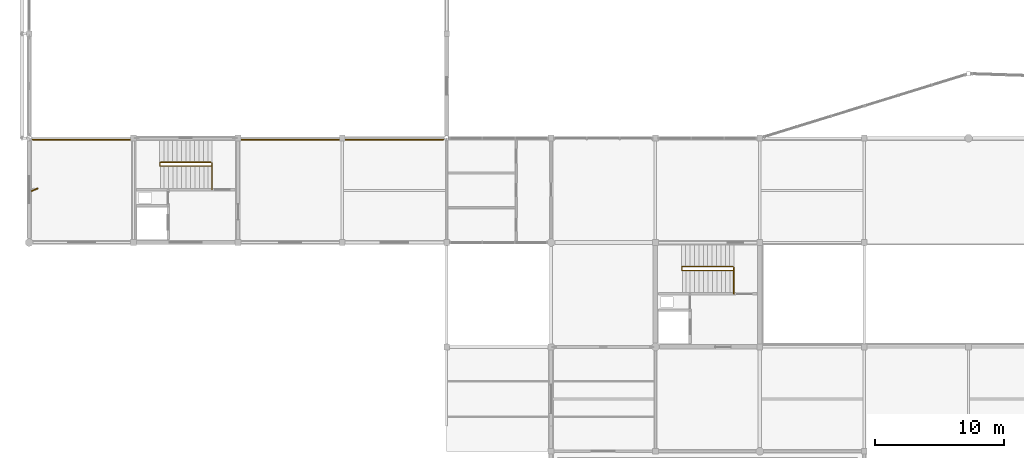
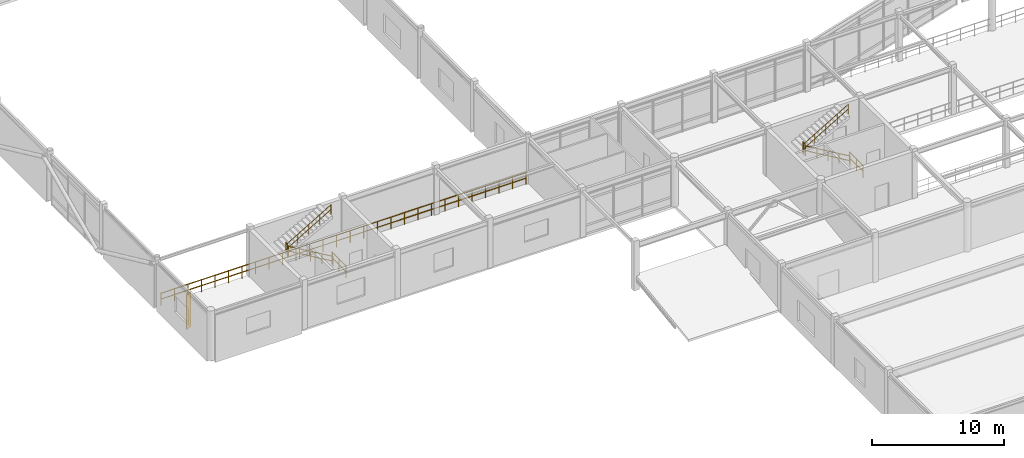
# One storey, part 85 of 93: 9 railings, 1 shading device.
"""IFC4 building model written with IfcOpenShell, lengths in metres."""

from ifc_helpers import new_model, si_unit, direction, frame, origin, origin_2d, place, context, subcontext, project, spatial, rectangle, circle, extrude, material, type_object, element, save


model = new_model("IFC4")

# Units and contexts
model_context = context("Model", 3, precision=1e-05, world=origin(), true_north=direction((0.0, 1.0)))
body_context = subcontext(model_context, "Body", "Model", "MODEL_VIEW")
ifc_project = project(units=[si_unit("LENGTHUNIT", "METRE"), si_unit("AREAUNIT", "SQUARE_METRE"), si_unit("VOLUMEUNIT", "CUBIC_METRE"), si_unit("PLANEANGLEUNIT", "RADIAN"), si_unit("MASSUNIT", "GRAM", prefix="KILO")], contexts=[model_context])

# Site, building, storey
site_placement = place(None, origin())
site = spatial("IfcSite", under=ifc_project, at=site_placement, CompositionType="ELEMENT")
building_placement = place(site_placement, origin())
building = spatial("IfcBuilding", under=site, at=building_placement, Name="Vaudrelin Polytechnic", CompositionType="ELEMENT")
storey_placement = place(building_placement, frame((0.0, 0.0, 5.10009765625)))
storey = spatial("IfcBuildingStorey", under=building, at=storey_placement, Name="L01", CompositionType="ELEMENT", Elevation=5.10009765625)

# Shading device
ifc_material_1 = material(Name="Anodised perforated aluminium AA 5005", Category="aluminium")
shading_device_type = type_object("IfcShadingDeviceType", Name="ENV-SF-FIN1", PredefinedType="USERDEFINED", material=ifc_material_1)
shading_device_placement = place(storey_placement, frame((0.429931640625, 44.598388671875, 0.19970703125), z_axis=(0.0, 0.0, 1.0), x_axis=(0.927183854567, 0.374606593416, 0.0)))
element("IfcShadingDevice", 1, at=shading_device_placement, inside=storey, type_object=shading_device_type, Name="Perforated solar fin SF-016", ObjectType="SOLAR FIN", PredefinedType="USERDEFINED", context=body_context, shape_type="SweptSolid", body=[
    extrude(rectangle(XDim=0.550048828125, YDim=0.080078125, at=origin_2d()), origin(), (0.0, 0.0, 1.0), 3.199951171875),
])

# Railings
ifc_material_2 = material(Name="Brushed stainless steel AISI 304", Category="steel")
railing_type_1 = type_object("IfcRailingType", Name="RAL-GR-INT", PredefinedType="GUARDRAIL", material=ifc_material_2)
railing_1_placement = place(storey_placement, frame((14.179931640625, 44.610107421875, 0.0)))
element("IfcRailing", 2, at=railing_1_placement, inside=storey, type_object=railing_type_1, Name="ST-03-L00 upper well guardrail", PredefinedType="GUARDRAIL", context=body_context, shape_type="SweptSolid", body=[
    extrude(circle(Radius=0.02392578125, at=origin_2d()), frame((0.0, 0.023193359375, 1.09619140625), z_axis=(0.0, 1.0, 0.0), x_axis=(-1.0, 0.0, 0.0)), (0.0, 0.0, 1.0), 2.023681640625),
    extrude(circle(Radius=0.02392578125, at=origin_2d()), frame((0.0, 0.023193359375, 0.56005859375), z_axis=(0.0, 1.0, 0.0), x_axis=(-1.0, 0.0, 0.0)), (0.0, 0.0, 1.0), 2.023681640625),
    extrude(circle(Radius=0.02099609375, at=origin_2d()), origin(), (0.0, 0.0, 1.0), 1.1201171875),
    extrude(circle(Radius=0.02099609375, at=origin_2d()), frame((0.0, 1.034912109375, 0.0)), (0.0, 0.0, 1.0), 1.1201171875),
    extrude(circle(Radius=0.02099609375, at=origin_2d()), frame((0.0, 2.06982421875, 0.0)), (0.0, 0.0, 1.0), 1.1201171875),
])
railing_2_placement = place(storey_placement, frame((10.14990234375, 46.43994140625, 2.294921875)))
element("IfcRailing", 3, at=railing_2_placement, inside=storey, type_object=railing_type_1, Name="ST-03-L01 landing well guardrail", PredefinedType="GUARDRAIL", context=body_context, shape_type="SweptSolid", body=[
    extrude(circle(Radius=0.02392578125, at=origin_2d()), frame((0.0, 0.023193359375, 1.09619140625), z_axis=(0.0, 1.0, 0.0), x_axis=(-1.0, 0.0, 0.0)), (0.0, 0.0, 1.0), 0.23388671875),
    extrude(circle(Radius=0.02392578125, at=origin_2d()), frame((0.0, 0.023193359375, 0.56005859375), z_axis=(0.0, 1.0, 0.0), x_axis=(-1.0, 0.0, 0.0)), (0.0, 0.0, 1.0), 0.23388671875),
    extrude(circle(Radius=0.02099609375, at=origin_2d()), origin(), (0.0, 0.0, 1.0), 1.1201171875),
    extrude(circle(Radius=0.02099609375, at=origin_2d()), frame((0.0, 0.280029296875, 0.0)), (0.0, 0.0, 1.0), 1.1201171875),
])
railing_3_placement = place(storey_placement, frame((54.679931640625, 36.510009765625, 0.0)))
element("IfcRailing", 4, at=railing_3_placement, inside=storey, type_object=railing_type_1, Name="ST-04-L00 upper well guardrail", PredefinedType="GUARDRAIL", context=body_context, shape_type="SweptSolid", body=[
    extrude(circle(Radius=0.02392578125, at=origin_2d()), frame((0.0, 0.023193359375, 1.09619140625), z_axis=(0.0, 1.0, 0.0), x_axis=(-1.0, 0.0, 0.0)), (0.0, 0.0, 1.0), 2.02392578125),
    extrude(circle(Radius=0.02392578125, at=origin_2d()), frame((0.0, 0.023193359375, 0.56005859375), z_axis=(0.0, 1.0, 0.0), x_axis=(-1.0, 0.0, 0.0)), (0.0, 0.0, 1.0), 2.02392578125),
    extrude(circle(Radius=0.02099609375, at=origin_2d()), origin(), (0.0, 0.0, 1.0), 1.1201171875),
    extrude(circle(Radius=0.02099609375, at=origin_2d()), frame((0.0, 1.03515625, 0.0)), (0.0, 0.0, 1.0), 1.1201171875),
    extrude(circle(Radius=0.02099609375, at=origin_2d()), frame((0.0, 2.070068359375, 0.0)), (0.0, 0.0, 1.0), 1.1201171875),
])
railing_4_placement = place(storey_placement, frame((50.64990234375, 38.340087890625, 2.294921875)))
element("IfcRailing", 5, at=railing_4_placement, inside=storey, type_object=railing_type_1, Name="ST-04-L01 landing well guardrail", PredefinedType="GUARDRAIL", context=body_context, shape_type="SweptSolid", body=[
    extrude(circle(Radius=0.02392578125, at=origin_2d()), frame((0.0, 0.023193359375, 1.09619140625), z_axis=(0.0, 1.0, 0.0), x_axis=(-1.0, 0.0, 0.0)), (0.0, 0.0, 1.0), 0.23388671875),
    extrude(circle(Radius=0.02392578125, at=origin_2d()), frame((0.0, 0.023193359375, 0.56005859375), z_axis=(0.0, 1.0, 0.0), x_axis=(-1.0, 0.0, 0.0)), (0.0, 0.0, 1.0), 0.23388671875),
    extrude(circle(Radius=0.02099609375, at=origin_2d()), origin(), (0.0, 0.0, 1.0), 1.1201171875),
    extrude(circle(Radius=0.02099609375, at=origin_2d()), frame((0.0, 0.280029296875, 0.0)), (0.0, 0.0, 1.0), 1.1201171875),
])
railing_5_placement = place(storey_placement, frame((0.25, 48.47998046875, 0.0)))
element("IfcRailing", 6, at=railing_5_placement, inside=storey, type_object=railing_type_1, Name="Workshop L01 south gallery north guardrail", PredefinedType="GUARDRAIL", context=body_context, shape_type="SweptSolid", body=[
    extrude(circle(Radius=0.02392578125, at=origin_2d()), frame((0.023193359375, 0.0, 1.09619140625), z_axis=(1.0, 0.0, 0.0), x_axis=(0.0, 1.0, 0.0)), (0.0, 0.0, 1.0), 31.853759765625),
    extrude(circle(Radius=0.02392578125, at=origin_2d()), frame((0.023193359375, 0.0, 0.56005859375), z_axis=(1.0, 0.0, 0.0), x_axis=(0.0, 1.0, 0.0)), (0.0, 0.0, 1.0), 31.853759765625),
    extrude(circle(Radius=0.02099609375, at=origin_2d()), origin(), (0.0, 0.0, 1.0), 1.1201171875),
    extrude(circle(Radius=0.02099609375, at=origin_2d()), frame((1.181396484375, 0.0, 0.0)), (0.0, 0.0, 1.0), 1.1201171875),
    extrude(circle(Radius=0.02099609375, at=origin_2d()), frame((2.363037109375, 0.0, 0.0)), (0.0, 0.0, 1.0), 1.1201171875),
    extrude(circle(Radius=0.02099609375, at=origin_2d()), frame((3.54443359375, 0.0, 0.0)), (0.0, 0.0, 1.0), 1.1201171875),
    extrude(circle(Radius=0.02099609375, at=origin_2d()), frame((4.725830078125, 0.0, 0.0)), (0.0, 0.0, 1.0), 1.1201171875),
    extrude(circle(Radius=0.02099609375, at=origin_2d()), frame((5.907470703125, 0.0, 0.0)), (0.0, 0.0, 1.0), 1.1201171875),
    extrude(circle(Radius=0.02099609375, at=origin_2d()), frame((7.0888671875, 0.0, 0.0)), (0.0, 0.0, 1.0), 1.1201171875),
    extrude(circle(Radius=0.02099609375, at=origin_2d()), frame((8.270263671875, 0.0, 0.0)), (0.0, 0.0, 1.0), 1.1201171875),
    extrude(circle(Radius=0.02099609375, at=origin_2d()), frame((9.451904296875, 0.0, 0.0)), (0.0, 0.0, 1.0), 1.1201171875),
    extrude(circle(Radius=0.02099609375, at=origin_2d()), frame((10.63330078125, 0.0, 0.0)), (0.0, 0.0, 1.0), 1.1201171875),
    extrude(circle(Radius=0.02099609375, at=origin_2d()), frame((11.814697265625, 0.0, 0.0)), (0.0, 0.0, 1.0), 1.1201171875),
    extrude(circle(Radius=0.02099609375, at=origin_2d()), frame((12.996337890625, 0.0, 0.0)), (0.0, 0.0, 1.0), 1.1201171875),
    extrude(circle(Radius=0.02099609375, at=origin_2d()), frame((14.177734375, 0.0, 0.0)), (0.0, 0.0, 1.0), 1.1201171875),
    extrude(circle(Radius=0.02099609375, at=origin_2d()), frame((15.359130859375, 0.0, 0.0)), (0.0, 0.0, 1.0), 1.1201171875),
    extrude(circle(Radius=0.02099609375, at=origin_2d()), frame((16.540771484375, 0.0, 0.0)), (0.0, 0.0, 1.0), 1.1201171875),
    extrude(circle(Radius=0.02099609375, at=origin_2d()), frame((17.72216796875, 0.0, 0.0)), (0.0, 0.0, 1.0), 1.1201171875),
    extrude(circle(Radius=0.02099609375, at=origin_2d()), frame((18.903564453125, 0.0, 0.0)), (0.0, 0.0, 1.0), 1.1201171875),
    extrude(circle(Radius=0.02099609375, at=origin_2d()), frame((20.085205078125, 0.0, 0.0)), (0.0, 0.0, 1.0), 1.1201171875),
    extrude(circle(Radius=0.02099609375, at=origin_2d()), frame((21.2666015625, 0.0, 0.0)), (0.0, 0.0, 1.0), 1.1201171875),
    extrude(circle(Radius=0.02099609375, at=origin_2d()), frame((22.447998046875, 0.0, 0.0)), (0.0, 0.0, 1.0), 1.1201171875),
    extrude(circle(Radius=0.02099609375, at=origin_2d()), frame((23.629638671875, 0.0, 0.0)), (0.0, 0.0, 1.0), 1.1201171875),
    extrude(circle(Radius=0.02099609375, at=origin_2d()), frame((24.81103515625, 0.0, 0.0)), (0.0, 0.0, 1.0), 1.1201171875),
    extrude(circle(Radius=0.02099609375, at=origin_2d()), frame((25.992431640625, 0.0, 0.0)), (0.0, 0.0, 1.0), 1.1201171875),
    extrude(circle(Radius=0.02099609375, at=origin_2d()), frame((27.174072265625, 0.0, 0.0)), (0.0, 0.0, 1.0), 1.1201171875),
    extrude(circle(Radius=0.02099609375, at=origin_2d()), frame((28.35546875, 0.0, 0.0)), (0.0, 0.0, 1.0), 1.1201171875),
    extrude(circle(Radius=0.02099609375, at=origin_2d()), frame((29.536865234375, 0.0, 0.0)), (0.0, 0.0, 1.0), 1.1201171875),
    extrude(circle(Radius=0.02099609375, at=origin_2d()), frame((30.718505859375, 0.0, 0.0)), (0.0, 0.0, 1.0), 1.1201171875),
    extrude(circle(Radius=0.02099609375, at=origin_2d()), frame((31.89990234375, 0.0, 0.0)), (0.0, 0.0, 1.0), 1.1201171875),
])
railing_type_2 = type_object("IfcRailingType", Name="RAL-HR-STR", PredefinedType="HANDRAIL", material=ifc_material_2)
railing_6_placement = place(storey_placement, frame((14.10009765625, 46.429931640625, 0.0)))
element("IfcRailing", 7, at=railing_6_placement, inside=storey, type_object=railing_type_2, Name="ST-03-L01 flight 1 handrail", PredefinedType="HANDRAIL", context=body_context, shape_type="SweptSolid", body=[
    extrude(circle(Radius=0.02392578125, at=origin_2d()), frame((-0.019775390625, 0.0, 0.90771484375), z_axis=(-0.861294332789, 0.0, 0.508106359245), x_axis=(0.0, -1.0, 0.0)), (0.0, 0.0, 1.0), 4.470458984375),
    extrude(circle(Radius=0.02392578125, at=origin_2d()), frame((-0.019775390625, 0.0, 0.4716796875), z_axis=(-0.861294332789, 0.0, 0.508106359245), x_axis=(0.0, -1.0, 0.0)), (0.0, 0.0, 1.0), 4.470458984375),
    extrude(circle(Radius=0.02099609375, at=origin_2d()), origin(), (0.0, 0.0, 1.0), 0.919921875),
    extrude(circle(Radius=0.02099609375, at=origin_2d()), frame((-0.97265625, 0.0, 0.57373046875)), (0.0, 0.0, 1.0), 0.919921875),
    extrude(circle(Radius=0.02099609375, at=origin_2d()), frame((-1.945068359375, 0.0, 1.1474609375)), (0.0, 0.0, 1.0), 0.919921875),
    extrude(circle(Radius=0.02099609375, at=origin_2d()), frame((-2.91748046875, 0.0, 1.72119140625)), (0.0, 0.0, 1.0), 0.919921875),
    extrude(circle(Radius=0.02099609375, at=origin_2d()), frame((-3.89013671875, 0.0, 2.294921875)), (0.0, 0.0, 1.0), 0.919921875),
])
railing_7_placement = place(storey_placement, frame((10.2099609375, 46.72998046875, 2.294921875)))
element("IfcRailing", 8, at=railing_7_placement, inside=storey, type_object=railing_type_2, Name="ST-03-L01 flight 2 handrail", PredefinedType="HANDRAIL", context=body_context, shape_type="SweptSolid", body=[
    extrude(circle(Radius=0.02392578125, at=origin_2d()), frame((0.019775390625, 0.0, 0.90771484375), z_axis=(0.861294332789, 0.0, 0.508106359245), x_axis=(0.0, 1.0, 0.0)), (0.0, 0.0, 1.0), 4.470458984375),
    extrude(circle(Radius=0.02392578125, at=origin_2d()), frame((0.019775390625, 0.0, 0.4716796875), z_axis=(0.861294332789, 0.0, 0.508106359245), x_axis=(0.0, 1.0, 0.0)), (0.0, 0.0, 1.0), 4.470458984375),
    extrude(circle(Radius=0.02099609375, at=origin_2d()), origin(), (0.0, 0.0, 1.0), 0.919921875),
    extrude(circle(Radius=0.02099609375, at=origin_2d()), frame((0.97265625, 0.0, 0.57373046875)), (0.0, 0.0, 1.0), 0.919921875),
    extrude(circle(Radius=0.02099609375, at=origin_2d()), frame((1.945068359375, 0.0, 1.1474609375)), (0.0, 0.0, 1.0), 0.919921875),
    extrude(circle(Radius=0.02099609375, at=origin_2d()), frame((2.91748046875, 0.0, 1.72119140625)), (0.0, 0.0, 1.0), 0.919921875),
    extrude(circle(Radius=0.02099609375, at=origin_2d()), frame((3.89013671875, 0.0, 2.294921875)), (0.0, 0.0, 1.0), 0.919921875),
])
railing_8_placement = place(storey_placement, frame((54.60009765625, 38.330078125, 0.0)))
element("IfcRailing", 9, at=railing_8_placement, inside=storey, type_object=railing_type_2, Name="ST-04-L01 flight 1 handrail", PredefinedType="HANDRAIL", context=body_context, shape_type="SweptSolid", body=[
    extrude(circle(Radius=0.02392578125, at=origin_2d()), frame((-0.019775390625, 0.0, 0.90771484375), z_axis=(-0.861294332789, 0.0, 0.508106359245), x_axis=(0.0, -1.0, 0.0)), (0.0, 0.0, 1.0), 4.470458984375),
    extrude(circle(Radius=0.02392578125, at=origin_2d()), frame((-0.019775390625, 0.0, 0.4716796875), z_axis=(-0.861294332789, 0.0, 0.508106359245), x_axis=(0.0, -1.0, 0.0)), (0.0, 0.0, 1.0), 4.470458984375),
    extrude(circle(Radius=0.02099609375, at=origin_2d()), origin(), (0.0, 0.0, 1.0), 0.919921875),
    extrude(circle(Radius=0.02099609375, at=origin_2d()), frame((-0.97265625, 0.0, 0.57373046875)), (0.0, 0.0, 1.0), 0.919921875),
    extrude(circle(Radius=0.02099609375, at=origin_2d()), frame((-1.945068359375, 0.0, 1.1474609375)), (0.0, 0.0, 1.0), 0.919921875),
    extrude(circle(Radius=0.02099609375, at=origin_2d()), frame((-2.91748046875, 0.0, 1.72119140625)), (0.0, 0.0, 1.0), 0.919921875),
    extrude(circle(Radius=0.02099609375, at=origin_2d()), frame((-3.89013671875, 0.0, 2.294921875)), (0.0, 0.0, 1.0), 0.919921875),
])
railing_9_placement = place(storey_placement, frame((50.7099609375, 38.6298828125, 2.294921875)))
element("IfcRailing", 10, at=railing_9_placement, inside=storey, type_object=railing_type_2, Name="ST-04-L01 flight 2 handrail", PredefinedType="HANDRAIL", context=body_context, shape_type="SweptSolid", body=[
    extrude(circle(Radius=0.02392578125, at=origin_2d()), frame((0.019775390625, 0.0, 0.90771484375), z_axis=(0.861294332789, 0.0, 0.508106359245), x_axis=(0.0, 1.0, 0.0)), (0.0, 0.0, 1.0), 4.470458984375),
    extrude(circle(Radius=0.02392578125, at=origin_2d()), frame((0.019775390625, 0.0, 0.4716796875), z_axis=(0.861294332789, 0.0, 0.508106359245), x_axis=(0.0, 1.0, 0.0)), (0.0, 0.0, 1.0), 4.470458984375),
    extrude(circle(Radius=0.02099609375, at=origin_2d()), origin(), (0.0, 0.0, 1.0), 0.919921875),
    extrude(circle(Radius=0.02099609375, at=origin_2d()), frame((0.97265625, 0.0, 0.57373046875)), (0.0, 0.0, 1.0), 0.919921875),
    extrude(circle(Radius=0.02099609375, at=origin_2d()), frame((1.945068359375, 0.0, 1.1474609375)), (0.0, 0.0, 1.0), 0.919921875),
    extrude(circle(Radius=0.02099609375, at=origin_2d()), frame((2.91748046875, 0.0, 1.72119140625)), (0.0, 0.0, 1.0), 0.919921875),
    extrude(circle(Radius=0.02099609375, at=origin_2d()), frame((3.89013671875, 0.0, 2.294921875)), (0.0, 0.0, 1.0), 0.919921875),
])

save(model, "model.ifc")
